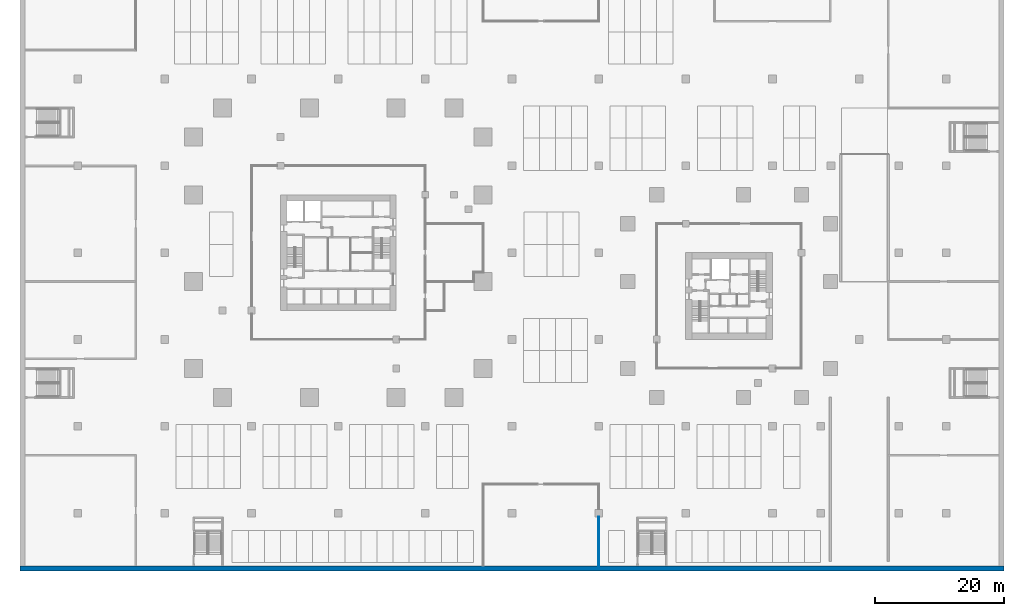
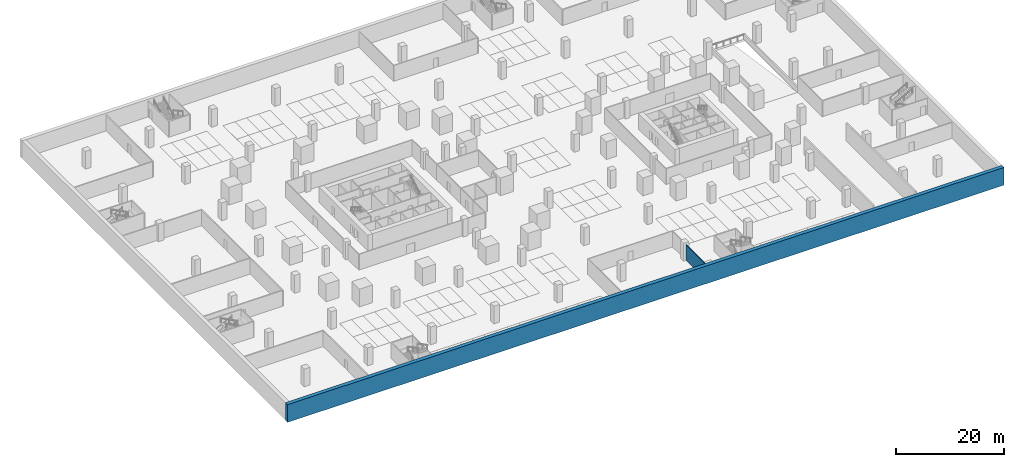
# One storey, part 6 of 31: 2 walls.
"""IFC4 building model written with IfcOpenShell, lengths in metres."""

from ifc_helpers import new_model, si_unit, direction, frame, frame_2d, origin, place, context, subcontext, project, spatial, rectangle, extrude, material, layer, layer_set, type_object, element, save


model = new_model("IFC4")

# Units and contexts
model_context = context("Model", 3, precision=1e-05, world=origin(), true_north=direction((0.0, 1.0)))
body_context = subcontext(model_context, "Body", "Model", "MODEL_VIEW")
ifc_project = project(units=[si_unit("LENGTHUNIT", "METRE"), si_unit("AREAUNIT", "SQUARE_METRE"), si_unit("VOLUMEUNIT", "CUBIC_METRE"), si_unit("PLANEANGLEUNIT", "RADIAN"), si_unit("MASSUNIT", "GRAM", prefix="KILO")], contexts=[model_context])

# Site, building, storey
site_placement = place(None, origin())
site = spatial("IfcSite", under=ifc_project, at=site_placement, CompositionType="ELEMENT")
building_placement = place(site_placement, origin())
building = spatial("IfcBuilding", under=site, at=building_placement, Name="Altepetl Exchange Towers", CompositionType="ELEMENT")
storey_placement = place(building_placement, frame((0.0, 0.0, -4.0)))
storey = spatial("IfcBuildingStorey", under=building, at=storey_placement, Name="B1 Basement services", CompositionType="ELEMENT", Elevation=-4.0)

# Walls
ifc_material_1 = material(Name="Gypsum board on steel studs", Category="steel")
ifc_layer_1 = layer(ifc_material_1, 0.14990234375)
ifc_layer_set_1 = layer_set([ifc_layer_1], Name="Gypsum board on steel studs")
wall_type_1 = type_object("IfcWallType", Name="Podium partition 150", PredefinedType="PARTITIONING", material=ifc_layer_set_1)
wall_1_placement = place(storey_placement, frame((90.0, 0.800048828125, 0.0), z_axis=(0.0, 0.0, 1.0), x_axis=(0.0, 1.0, 0.0)))
element("IfcWall", 1, at=wall_1_placement, inside=storey, type_object=wall_type_1, Name="wall:P:B1:P012", PredefinedType="PARTITIONING", context=body_context, shape_type="SweptSolid", body=[
    extrude(rectangle(XDim=7.60498046875, YDim=0.14990234375, at=frame_2d((3.802490234375, 0.0))), origin(), (0.0, 0.0, 1.0), 3.550048828125),
])
ifc_material_2 = material(Name="Concrete C60/75", Category="concrete")
ifc_layer_2 = layer(ifc_material_2, 0.800048828125)
ifc_layer_set_2 = layer_set([ifc_layer_2], Name="Concrete C60/75")
wall_type_2 = type_object("IfcWallType", Name="Retaining wall 800", PredefinedType="SOLIDWALL", material=ifc_layer_set_2)
wall_2_placement = place(storey_placement, frame((0.0, 0.39990234375, 0.0)))
element("IfcWall", 2, at=wall_2_placement, inside=storey, type_object=wall_type_2, Name="wall:P:B1:retS", PredefinedType="SOLIDWALL", context=body_context, shape_type="SweptSolid", body=[
    extrude(rectangle(XDim=153.0, YDim=0.800048828125, at=frame_2d((76.5, 0.0))), origin(), (0.0, 0.0, 1.0), 4.0),
])

save(model, "model.ifc")
